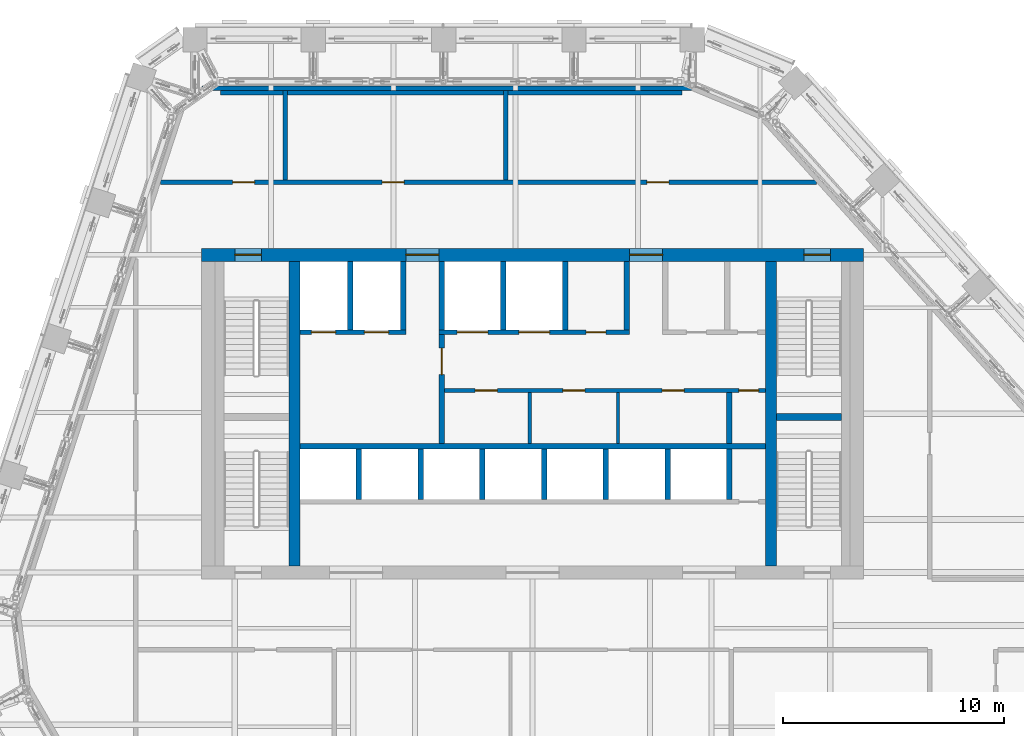
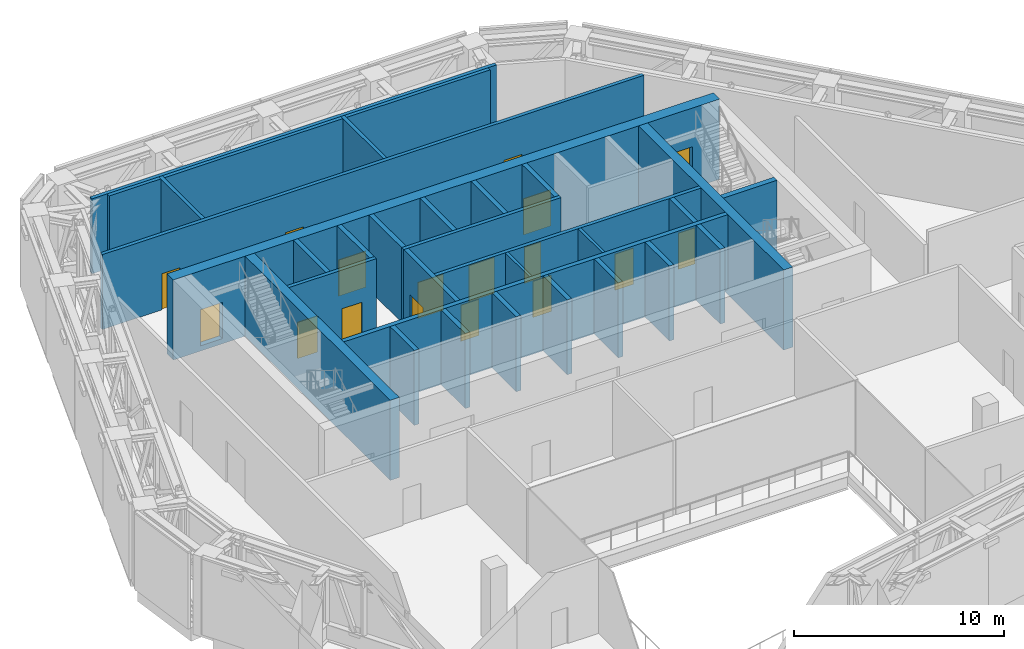
# One storey, part 18 of 25: 32 walls, 17 doors, 17 openings.
"""IFC4 building model written with IfcOpenShell, lengths in metres."""

from ifc_helpers import new_model, si_unit, direction, frame, frame_2d, origin, place, context, subcontext, project, spatial, rectangle, extrude, material, layer, layer_set, type_object, element, fill, save


model = new_model("IFC4")

# Units and contexts
model_context = context("Model", 3, precision=1e-05, world=origin(), true_north=direction((0.0, 1.0)))
body_context = subcontext(model_context, "Body", "Model", "MODEL_VIEW")
ifc_project = project(units=[si_unit("LENGTHUNIT", "METRE"), si_unit("AREAUNIT", "SQUARE_METRE"), si_unit("VOLUMEUNIT", "CUBIC_METRE"), si_unit("PLANEANGLEUNIT", "RADIAN"), si_unit("MASSUNIT", "GRAM", prefix="KILO")], contexts=[model_context])

# Site, building, storey
site_placement = place(None, origin())
site = spatial("IfcSite", under=ifc_project, at=site_placement, CompositionType="ELEMENT")
building_placement = place(site_placement, origin())
building = spatial("IfcBuilding", under=site, at=building_placement, Name="Isthmus Gate Tower", CompositionType="ELEMENT")
storey_placement = place(building_placement, frame((0.0, 0.0, 256.449951171875)))
storey = spatial("IfcBuildingStorey", under=building, at=storey_placement, Name="L65", CompositionType="ELEMENT", Elevation=256.449951171875)

# Wall, opening, door
ifc_material_1 = material(Name="Fire-rated blockwork masonry, 15 MPa", Category="masonry")
ifc_layer_1 = layer(ifc_material_1, 0.25)
ifc_layer_set_1 = layer_set([ifc_layer_1], Name="FIRE-FIGHTING LOBBY WALL 250 90 MIN")
wall_type_1 = type_object("IfcWallType", Name="FIRE-FIGHTING LOBBY WALL 250 90 MIN", PredefinedType="PARTITIONING", material=ifc_layer_set_1)
wall_1_placement = place(storey_placement, frame((-4.125, 6.14990234375, 0.0), z_axis=(0.0, 0.0, 1.0), x_axis=(0.0, 1.0, 0.0)))
wall_1 = element("IfcWall", 1, at=wall_1_placement, inside=storey, type_object=wall_type_1, Name="L65 FIRE-FIGHTING LOBBY WALL 250 90 MIN", PredefinedType="PARTITIONING", context=body_context, shape_type="SweptSolid", body=[
    extrude(rectangle(XDim=4.9501953125, YDim=0.25, at=frame_2d((2.47509765625, 0.0))), origin(), (0.0, 0.0, 1.0), 4.35009765625),
])
opening_1_placement = place(wall_1_placement, frame((3.125, 0.0, 0.0)))
opening_1 = element("IfcOpeningElement", 2, at=opening_1_placement, cuts=wall_1, Name="Opening DC-A21-01", PredefinedType="OPENING", context=body_context, shape_type="SweptSolid", body=[
    extrude(rectangle(XDim=1.199951171875, YDim=2.10009765625, at=frame_2d((0.60009765625, 1.050048828125))), frame((0.0, 0.135009765625, 0.0), z_axis=(0.0, -1.0, 0.0), x_axis=(1.0, 0.0, 0.0)), (0.0, 0.0, 1.0), 0.27001953125),
])
ifc_material_2 = material(Name="Steel door leaf, fire-rated", Category="steel")
door_type_1 = type_object("IfcDoorType", Name="LOBBY FIRE DOOR 1200 X 2100 90 MIN", OperationType="DOUBLE_DOOR_SINGLE_SWING", PredefinedType="DOOR", material=ifc_material_2)
door_1_placement = place(opening_1_placement, origin())
door_1 = element("IfcDoor", 3, at=door_1_placement, inside=storey, type_object=door_type_1, Name="Fire-fighting Lobby Door", OperationType="SINGLE_SWING_LEFT", OverallHeight=2.10009765625, OverallWidth=1.199951171875, PredefinedType="DOOR", context=body_context, shape_type="SweptSolid", body=[
    extrude(rectangle(XDim=1.199951171875, YDim=2.10009765625, at=frame_2d((0.60009765625, 1.050048828125))), frame((0.0, 0.02490234375, 0.0), z_axis=(0.0, -1.0, 0.0), x_axis=(1.0, 0.0, 0.0)), (0.0, 0.0, 1.0), 0.050048828125),
])
fill(opening_1, door_1)

# Wall, openings, doors
ifc_material_3 = material(Name="Concrete f'c 30 MPa", Category="concrete")
ifc_layer_2 = layer(ifc_material_3, 0.199951171875)
ifc_layer_set_2 = layer_set([ifc_layer_2], Name="Fire-rated block wall 200")
wall_type_2 = type_object("IfcWallType", Name="Fire-rated block wall 200", PredefinedType="PARTITIONING", material=ifc_layer_set_2)
wall_2_placement = place(storey_placement, frame((-16.866943359375, 18.0, 0.0), z_axis=(0.0, 0.0, 1.0), x_axis=(1.0, 0.0, 0.0)))
wall_2 = element("IfcWall", 4, at=wall_2_placement, inside=storey, type_object=wall_type_2, Name="Fire-rated wall", PredefinedType="PARTITIONING", context=body_context, shape_type="SweptSolid", body=[
    extrude(rectangle(XDim=29.730224609375, YDim=0.199951171875, at=frame_2d((14.865234375, 0.0))), origin(), (0.0, 0.0, 1.0), 4.35009765625),
])
opening_2_placement = place(wall_2_placement, frame((3.266845703125, 0.0, 0.0)))
opening_2 = element("IfcOpeningElement", 5, at=opening_2_placement, cuts=wall_2, Name="Opening DP65-03", PredefinedType="OPENING", context=body_context, shape_type="SweptSolid", body=[
    extrude(rectangle(XDim=1.0, YDim=2.10009765625, at=frame_2d((0.5, 1.050048828125))), frame((0.0, 0.10986328125, 0.0), z_axis=(0.0, -1.0, 0.0), x_axis=(1.0, 0.0, 0.0)), (0.0, 0.0, 1.0), 0.219970703125),
])
opening_3_placement = place(wall_2_placement, frame((10.047607421875, 0.0, 0.0)))
opening_3 = element("IfcOpeningElement", 6, at=opening_3_placement, cuts=wall_2, Name="Opening DP65-04", PredefinedType="OPENING", context=body_context, shape_type="SweptSolid", body=[
    extrude(rectangle(XDim=1.0, YDim=2.10009765625, at=frame_2d((0.5, 1.050048828125))), frame((0.0, 0.10986328125, 0.0), z_axis=(0.0, -1.0, 0.0), x_axis=(1.0, 0.0, 0.0)), (0.0, 0.0, 1.0), 0.219970703125),
])
opening_4_placement = place(wall_2_placement, frame((22.047607421875, 0.0, 0.0)))
opening_4 = element("IfcOpeningElement", 7, at=opening_4_placement, cuts=wall_2, Name="Opening DP65-05", PredefinedType="OPENING", context=body_context, shape_type="SweptSolid", body=[
    extrude(rectangle(XDim=1.0, YDim=2.10009765625, at=frame_2d((0.5, 1.050048828125))), frame((0.0, 0.10986328125, 0.0), z_axis=(0.0, -1.0, 0.0), x_axis=(1.0, 0.0, 0.0)), (0.0, 0.0, 1.0), 0.219970703125),
])
ifc_material_4 = material(Name="Steel fire door with intumescent seals", Category="steel")
door_type_2 = type_object("IfcDoorType", Name="Fire door 1000 x 2100", OperationType="SINGLE_SWING_LEFT", PredefinedType="DOOR", material=ifc_material_4)
door_2_placement = place(opening_2_placement, origin())
door_2 = element("IfcDoor", 8, at=door_2_placement, inside=storey, type_object=door_type_2, Name="Door DP65-03", OperationType="SINGLE_SWING_LEFT", OverallHeight=2.10009765625, OverallWidth=1.0, PredefinedType="DOOR", context=body_context, shape_type="SweptSolid", body=[
    extrude(rectangle(XDim=1.0, YDim=2.10009765625, at=frame_2d((0.5, 1.050048828125))), frame((0.0, 0.02490234375, 0.0), z_axis=(0.0, -1.0, 0.0), x_axis=(1.0, 0.0, 0.0)), (0.0, 0.0, 1.0), 0.050048828125),
])
fill(opening_2, door_2)
door_3_placement = place(opening_3_placement, origin())
door_3 = element("IfcDoor", 9, at=door_3_placement, inside=storey, type_object=door_type_2, Name="Door DP65-04", OperationType="SINGLE_SWING_LEFT", OverallHeight=2.10009765625, OverallWidth=1.0, PredefinedType="DOOR", context=body_context, shape_type="SweptSolid", body=[
    extrude(rectangle(XDim=1.0, YDim=2.10009765625, at=frame_2d((0.5, 1.050048828125))), frame((0.0, 0.02490234375, 0.0), z_axis=(0.0, -1.0, 0.0), x_axis=(1.0, 0.0, 0.0)), (0.0, 0.0, 1.0), 0.050048828125),
])
fill(opening_3, door_3)
door_4_placement = place(opening_4_placement, origin())
door_4 = element("IfcDoor", 10, at=door_4_placement, inside=storey, type_object=door_type_2, Name="Door DP65-05", OperationType="SINGLE_SWING_LEFT", OverallHeight=2.10009765625, OverallWidth=1.0, PredefinedType="DOOR", context=body_context, shape_type="SweptSolid", body=[
    extrude(rectangle(XDim=1.0, YDim=2.10009765625, at=frame_2d((0.5, 1.050048828125))), frame((0.0, 0.02490234375, 0.0), z_axis=(0.0, -1.0, 0.0), x_axis=(1.0, 0.0, 0.0)), (0.0, 0.0, 1.0), 0.050048828125),
])
fill(opening_4, door_4)

# Walls
wall_3_placement = place(storey_placement, frame((-14.143310546875, 22.050048828125, 0.0), z_axis=(0.0, 0.0, 1.0), x_axis=(1.0, 0.0, 0.0)))
element("IfcWall", 11, at=wall_3_placement, inside=storey, type_object=wall_type_2, Name="Fire-rated wall", PredefinedType="PARTITIONING", context=body_context, shape_type="SweptSolid", body=[
    extrude(rectangle(XDim=2.82421875, YDim=0.199951171875, at=frame_2d((1.412109375, 0.0))), origin(), (0.0, 0.0, 1.0), 4.35009765625),
])
wall_4_placement = place(storey_placement, frame((-11.118896484375, 22.050048828125, 0.0), z_axis=(0.0, 0.0, 1.0), x_axis=(1.0, 0.0, 0.0)))
element("IfcWall", 12, at=wall_4_placement, inside=storey, type_object=wall_type_2, Name="Fire-rated wall", PredefinedType="PARTITIONING", context=body_context, shape_type="SweptSolid", body=[
    extrude(rectangle(XDim=9.7998046875, YDim=0.199951171875, at=frame_2d((4.89990234375, 0.0))), origin(), (0.0, 0.0, 1.0), 4.35009765625),
])
wall_5_placement = place(storey_placement, frame((-1.118896484375, 22.050048828125, 0.0), z_axis=(0.0, 0.0, 1.0), x_axis=(1.0, 0.0, 0.0)))
element("IfcWall", 13, at=wall_5_placement, inside=storey, type_object=wall_type_2, Name="Fire-rated wall", PredefinedType="PARTITIONING", context=body_context, shape_type="SweptSolid", body=[
    extrude(rectangle(XDim=7.888671875, YDim=0.199951171875, at=frame_2d((3.9443359375, 0.0))), origin(), (0.0, 0.0, 1.0), 4.35009765625),
])
for number, where, z_axis, x_axis, name in (
    (14, (-11.218994140625, 18.10009765625, 0.0), (0.0, 0.0, 1.0), (0.0, 1.0, 0.0), "Fire-rated wall"),
    (15, (-1.218994140625, 18.10009765625, 0.0), (0.0, 0.0, 1.0), (0.0, 1.0, 0.0), "Fire-rated wall"),
):
    element("IfcWall", number, at=place(storey_placement, frame(where, z_axis=z_axis, x_axis=x_axis)), inside=storey, type_object=wall_type_2, Name=name, PredefinedType="PARTITIONING", context=body_context, shape_type="SweptSolid", body=[
        extrude(rectangle(XDim=4.0498046875, YDim=0.199951171875, at=frame_2d((2.02490234375, 0.0))), origin(), (0.0, 0.0, 1.0), 4.35009765625),
    ])
wall_6_placement = place(storey_placement, frame((-14.980712890625, 22.25, 0.0), z_axis=(0.0, 0.0, 1.0), x_axis=(1.0, 0.0, 0.0)))
element("IfcWall", 16, at=wall_6_placement, inside=storey, type_object=wall_type_2, Name="Fire-rated wall", PredefinedType="PARTITIONING", context=body_context, shape_type="SweptSolid", body=[
    extrude(rectangle(XDim=22.222900390625, YDim=0.199951171875, at=frame_2d((11.111328125, 0.0))), origin(), (0.0, 0.0, 1.0), 4.35009765625),
])
ifc_material_5 = material(Name="Concrete f'c 50 MPa", Category="concrete")
ifc_layer_3 = layer(ifc_material_5, 0.5)
ifc_layer_set_3 = layer_set([ifc_layer_3], Name="RC CORE SPINE WALL 500 F'C 50")
wall_type_3 = type_object("IfcWallType", Name="RC CORE SPINE WALL 500 F'C 50", PredefinedType="SOLIDWALL", material=ifc_layer_set_3)
for number, where, z_axis, x_axis, name in (
    (17, (-10.800048828125, 0.60009765625, -0.300048828125), (0.0, 0.0, 1.0), (0.0, 1.0, 0.0), "str-corewall-L65-SPW"),
    (18, (10.800048828125, 0.60009765625, -0.300048828125), (0.0, 0.0, 1.0), (0.0, 1.0, 0.0), "str-corewall-L65-SPE"),
):
    element("IfcWall", number, at=place(storey_placement, frame(where, z_axis=z_axis, x_axis=x_axis)), inside=storey, type_object=wall_type_3, Name=name, PredefinedType="SOLIDWALL", context=body_context, shape_type="SweptSolid", body=[
        extrude(rectangle(XDim=13.7998046875, YDim=0.5, at=frame_2d((6.89990234375, 0.0))), origin(), (0.0, 0.0, 1.0), 4.650146484375),
    ])

# Wall, openings, doors
ifc_material_6 = material(Name="Concrete f'c 50 MPa", Category="concrete")
ifc_layer_4 = layer(ifc_material_6, 0.60009765625)
ifc_layer_set_4 = layer_set([ifc_layer_4], Name="RC CORE WALL 600 F'C 50")
wall_type_4 = type_object("IfcWallType", Name="RC CORE WALL 600 F'C 50", PredefinedType="SOLIDWALL", material=ifc_layer_set_4)
wall_7_placement = place(storey_placement, frame((-15.0, 14.699951171875, -0.300048828125), z_axis=(0.0, 0.0, 1.0), x_axis=(1.0, 0.0, 0.0)))
wall_7 = element("IfcWall", 19, at=wall_7_placement, inside=storey, type_object=wall_type_4, Name="str-corewall-L65-N", PredefinedType="SOLIDWALL", context=body_context, shape_type="SweptSolid", body=[
    extrude(rectangle(XDim=30.0, YDim=0.60009765625, at=frame_2d((15.0, 0.0))), origin(), (0.0, 0.0, 1.0), 4.650146484375),
])
opening_5_placement = place(wall_7_placement, frame((9.25, 0.0, 0.300048828125)))
opening_5 = element("IfcOpeningElement", 20, at=opening_5_placement, cuts=wall_7, Name="Opening DC-A21-13", PredefinedType="OPENING", context=body_context, shape_type="SweptSolid", body=[
    extrude(rectangle(XDim=1.5, YDim=2.10009765625, at=frame_2d((0.75, 1.050048828125))), frame((0.0, 0.31005859375, 0.0), z_axis=(0.0, -1.0, 0.0), x_axis=(1.0, 0.0, 0.0)), (0.0, 0.0, 1.0), 0.6201171875),
])
opening_6_placement = place(wall_7_placement, frame((19.39990234375, 0.0, 0.300048828125)))
opening_6 = element("IfcOpeningElement", 21, at=opening_6_placement, cuts=wall_7, Name="Opening DC-A21-14", PredefinedType="OPENING", context=body_context, shape_type="SweptSolid", body=[
    extrude(rectangle(XDim=1.5, YDim=2.10009765625, at=frame_2d((0.75, 1.050048828125))), frame((0.0, 0.31005859375, 0.0), z_axis=(0.0, -1.0, 0.0), x_axis=(1.0, 0.0, 0.0)), (0.0, 0.0, 1.0), 0.6201171875),
])
opening_7_placement = place(wall_7_placement, frame((1.5, 0.0, 0.300048828125)))
opening_7 = element("IfcOpeningElement", 22, at=opening_7_placement, cuts=wall_7, Name="Opening DC-A21-15", PredefinedType="OPENING", context=body_context, shape_type="SweptSolid", body=[
    extrude(rectangle(XDim=1.199951171875, YDim=2.10009765625, at=frame_2d((0.60009765625, 1.050048828125))), frame((0.0, 0.31005859375, 0.0), z_axis=(0.0, -1.0, 0.0), x_axis=(1.0, 0.0, 0.0)), (0.0, 0.0, 1.0), 0.6201171875),
])
opening_8_placement = place(wall_7_placement, frame((27.300048828125, 0.0, 0.300048828125)))
opening_8 = element("IfcOpeningElement", 23, at=opening_8_placement, cuts=wall_7, Name="Opening DC-A21-16", PredefinedType="OPENING", context=body_context, shape_type="SweptSolid", body=[
    extrude(rectangle(XDim=1.199951171875, YDim=2.10009765625, at=frame_2d((0.60009765625, 1.050048828125))), frame((0.0, 0.31005859375, 0.0), z_axis=(0.0, -1.0, 0.0), x_axis=(1.0, 0.0, 0.0)), (0.0, 0.0, 1.0), 0.6201171875),
])
ifc_material_7 = material(Name="Steel door leaf, fire-rated", Category="steel")
door_type_3 = type_object("IfcDoorType", Name="LOBBY FIRE DOOR 1500 X 2100 60 MIN", OperationType="DOUBLE_DOOR_SINGLE_SWING", PredefinedType="DOOR", material=ifc_material_7)
door_5_placement = place(opening_6_placement, origin())
door_5 = element("IfcDoor", 24, at=door_5_placement, inside=storey, type_object=door_type_3, Name="Lobby Door PN-E", OperationType="DOUBLE_DOOR_SINGLE_SWING", OverallHeight=2.10009765625, OverallWidth=1.5, PredefinedType="DOOR", context=body_context, shape_type="SweptSolid", body=[
    extrude(rectangle(XDim=1.5, YDim=2.10009765625, at=frame_2d((0.75, 1.050048828125))), frame((0.0, 0.02490234375, 0.0), z_axis=(0.0, -1.0, 0.0), x_axis=(1.0, 0.0, 0.0)), (0.0, 0.0, 1.0), 0.050048828125),
])
fill(opening_6, door_5)
ifc_material_8 = material(Name="Steel door leaf, fire-rated", Category="steel")
door_type_4 = type_object("IfcDoorType", Name="LOBBY FIRE DOOR 1500 X 2100 90 MIN", OperationType="DOUBLE_DOOR_SINGLE_SWING", PredefinedType="DOOR", material=ifc_material_8)
door_6_placement = place(opening_5_placement, origin())
door_6 = element("IfcDoor", 25, at=door_6_placement, inside=storey, type_object=door_type_4, Name="Lobby Door PN-W", OperationType="DOUBLE_DOOR_SINGLE_SWING", OverallHeight=2.10009765625, OverallWidth=1.5, PredefinedType="DOOR", context=body_context, shape_type="SweptSolid", body=[
    extrude(rectangle(XDim=1.5, YDim=2.10009765625, at=frame_2d((0.75, 1.050048828125))), frame((0.0, 0.02490234375, 0.0), z_axis=(0.0, -1.0, 0.0), x_axis=(1.0, 0.0, 0.0)), (0.0, 0.0, 1.0), 0.050048828125),
])
fill(opening_5, door_6)
ifc_material_9 = material(Name="Steel door leaf, fire-rated", Category="steel")
door_type_5 = type_object("IfcDoorType", Name="STAIR FIRE DOOR 1200 X 2100 90 MIN", OperationType="SINGLE_SWING_LEFT", PredefinedType="DOOR", material=ifc_material_9)
door_7_placement = place(opening_7_placement, origin())
door_7 = element("IfcDoor", 26, at=door_7_placement, inside=storey, type_object=door_type_5, Name="Exit Stair 1 Door", OperationType="SINGLE_SWING_RIGHT", OverallHeight=2.10009765625, OverallWidth=1.199951171875, PredefinedType="DOOR", context=body_context, shape_type="SweptSolid", body=[
    extrude(rectangle(XDim=1.199951171875, YDim=2.10009765625, at=frame_2d((0.60009765625, 1.050048828125))), frame((0.0, 0.02490234375, 0.0), z_axis=(0.0, -1.0, 0.0), x_axis=(1.0, 0.0, 0.0)), (0.0, 0.0, 1.0), 0.050048828125),
])
fill(opening_7, door_7)
door_8_placement = place(opening_8_placement, origin())
door_8 = element("IfcDoor", 27, at=door_8_placement, inside=storey, type_object=door_type_5, Name="Exit Stair 2 Door", OperationType="SINGLE_SWING_LEFT", OverallHeight=2.10009765625, OverallWidth=1.199951171875, PredefinedType="DOOR", context=body_context, shape_type="SweptSolid", body=[
    extrude(rectangle(XDim=1.199951171875, YDim=2.10009765625, at=frame_2d((0.60009765625, 1.050048828125))), frame((0.0, 0.02490234375, 0.0), z_axis=(0.0, -1.0, 0.0), x_axis=(1.0, 0.0, 0.0)), (0.0, 0.0, 1.0), 0.050048828125),
])
fill(opening_8, door_8)

# Walls
ifc_material_10 = material(Name="Gypsum board on steel studs, fire-rated", Category="steel")
ifc_layer_5 = layer(ifc_material_10, 0.14990234375)
ifc_layer_set_5 = layer_set([ifc_layer_5], Name="ROOM PARTITION 150 60 MIN")
wall_type_5 = type_object("IfcWallType", Name="ROOM PARTITION 150 60 MIN", PredefinedType="PARTITIONING", material=ifc_layer_set_5)
for number, where, z_axis, x_axis, name in (
    (28, (-0.125, 6.14990234375, 0.0), (0.0, 0.0, 1.0), (0.0, 1.0, 0.0), "L65 ROOM PARTITION 150 60 MIN"),
    (29, (3.875, 6.14990234375, 0.0), (0.0, 0.0, 1.0), (0.0, 1.0, 0.0), "L65 ROOM PARTITION 150 60 MIN"),
):
    element("IfcWall", number, at=place(storey_placement, frame(where, z_axis=z_axis, x_axis=x_axis)), inside=storey, type_object=wall_type_5, Name=name, PredefinedType="PARTITIONING", context=body_context, shape_type="SweptSolid", body=[
        extrude(rectangle(XDim=2.300048828125, YDim=0.14990234375, at=frame_2d((1.14990234375, 0.0))), origin(), (0.0, 0.0, 1.0), 4.35009765625),
    ])

# Wall, openings, doors
ifc_material_11 = material(Name="Fire-rated blockwork masonry, 15 MPa", Category="masonry")
ifc_layer_6 = layer(ifc_material_11, 0.199951171875)
ifc_layer_set_6 = layer_set([ifc_layer_6], Name="SHAFT FRONT WALL 200 120 MIN")
wall_type_6 = type_object("IfcWallType", Name="SHAFT FRONT WALL 200 120 MIN", PredefinedType="PARTITIONING", material=ifc_layer_set_6)
wall_8_placement = place(storey_placement, frame((-4.125, 8.550048828125, 0.0), z_axis=(0.0, 0.0, 1.0), x_axis=(1.0, 0.0, 0.0)))
wall_8 = element("IfcWall", 30, at=wall_8_placement, inside=storey, type_object=wall_type_6, Name="L65 SHAFT FRONT WALL 200 120 MIN", PredefinedType="PARTITIONING", context=body_context, shape_type="SweptSolid", body=[
    extrude(rectangle(XDim=14.675048828125, YDim=0.199951171875, at=frame_2d((7.33740234375, 0.0))), origin(), (0.0, 0.0, 1.0), 4.35009765625),
])
opening_9_placement = place(wall_8_placement, frame((1.52490234375, 0.0, 0.0)))
opening_9 = element("IfcOpeningElement", 31, at=opening_9_placement, cuts=wall_8, Name="Opening DC-A21-03", PredefinedType="OPENING", context=body_context, shape_type="SweptSolid", body=[
    extrude(rectangle(XDim=1.0, YDim=2.10009765625, at=frame_2d((0.5, 1.050048828125))), frame((0.0, 0.10986328125, 0.0), z_axis=(0.0, -1.0, 0.0), x_axis=(1.0, 0.0, 0.0)), (0.0, 0.0, 1.0), 0.219970703125),
])
opening_10_placement = place(wall_8_placement, frame((5.5, 0.0, 0.0)))
opening_10 = element("IfcOpeningElement", 32, at=opening_10_placement, cuts=wall_8, Name="Opening DC-A21-04", PredefinedType="OPENING", context=body_context, shape_type="SweptSolid", body=[
    extrude(rectangle(XDim=1.0, YDim=2.10009765625, at=frame_2d((0.5, 1.050048828125))), frame((0.0, 0.10986328125, 0.0), z_axis=(0.0, -1.0, 0.0), x_axis=(1.0, 0.0, 0.0)), (0.0, 0.0, 1.0), 0.219970703125),
])
opening_11_placement = place(wall_8_placement, frame((10.0, 0.0, 0.0)))
opening_11 = element("IfcOpeningElement", 33, at=opening_11_placement, cuts=wall_8, Name="Opening DC-A21-05", PredefinedType="OPENING", context=body_context, shape_type="SweptSolid", body=[
    extrude(rectangle(XDim=1.0, YDim=2.10009765625, at=frame_2d((0.5, 1.050048828125))), frame((0.0, 0.10986328125, 0.0), z_axis=(0.0, -1.0, 0.0), x_axis=(1.0, 0.0, 0.0)), (0.0, 0.0, 1.0), 0.219970703125),
])
opening_12_placement = place(wall_8_placement, frame((13.47509765625, 0.0, 0.0)))
opening_12 = element("IfcOpeningElement", 34, at=opening_12_placement, cuts=wall_8, Name="Opening DC-A21-06", PredefinedType="OPENING", context=body_context, shape_type="SweptSolid", body=[
    extrude(rectangle(XDim=0.89990234375, YDim=2.10009765625, at=frame_2d((0.449951171875, 1.050048828125))), frame((0.0, 0.10986328125, 0.0), z_axis=(0.0, -1.0, 0.0), x_axis=(1.0, 0.0, 0.0)), (0.0, 0.0, 1.0), 0.219970703125),
])
ifc_material_12 = material(Name="Steel door leaf, fire-rated", Category="steel")
door_type_6 = type_object("IfcDoorType", Name="FIRE DOOR 1000 X 2100 60 MIN", OperationType="SINGLE_SWING_LEFT", PredefinedType="DOOR", material=ifc_material_12)
door_9_placement = place(opening_9_placement, origin())
door_9 = element("IfcDoor", 35, at=door_9_placement, inside=storey, type_object=door_type_6, Name="Pump Room Door", OperationType="SINGLE_SWING_LEFT", OverallHeight=2.10009765625, OverallWidth=1.0, PredefinedType="DOOR", context=body_context, shape_type="SweptSolid", body=[
    extrude(rectangle(XDim=1.0, YDim=2.10009765625, at=frame_2d((0.5, 1.050048828125))), frame((0.0, 0.02490234375, 0.0), z_axis=(0.0, -1.0, 0.0), x_axis=(1.0, 0.0, 0.0)), (0.0, 0.0, 1.0), 0.050048828125),
])
fill(opening_9, door_9)
door_10_placement = place(opening_10_placement, origin())
door_10 = element("IfcDoor", 36, at=door_10_placement, inside=storey, type_object=door_type_6, Name="Electrical Room Door", OperationType="SINGLE_SWING_RIGHT", OverallHeight=2.10009765625, OverallWidth=1.0, PredefinedType="DOOR", context=body_context, shape_type="SweptSolid", body=[
    extrude(rectangle(XDim=1.0, YDim=2.10009765625, at=frame_2d((0.5, 1.050048828125))), frame((0.0, 0.02490234375, 0.0), z_axis=(0.0, -1.0, 0.0), x_axis=(1.0, 0.0, 0.0)), (0.0, 0.0, 1.0), 0.050048828125),
])
fill(opening_10, door_10)
door_11_placement = place(opening_11_placement, origin())
door_11 = element("IfcDoor", 37, at=door_11_placement, inside=storey, type_object=door_type_6, Name="Valve Room Door", OperationType="SINGLE_SWING_LEFT", OverallHeight=2.10009765625, OverallWidth=1.0, PredefinedType="DOOR", context=body_context, shape_type="SweptSolid", body=[
    extrude(rectangle(XDim=1.0, YDim=2.10009765625, at=frame_2d((0.5, 1.050048828125))), frame((0.0, 0.02490234375, 0.0), z_axis=(0.0, -1.0, 0.0), x_axis=(1.0, 0.0, 0.0)), (0.0, 0.0, 1.0), 0.050048828125),
])
fill(opening_11, door_11)
ifc_material_13 = material(Name="Steel door leaf, fire-rated", Category="steel")
door_type_7 = type_object("IfcDoorType", Name="RISER FIRE DOOR 900 X 2100 90 MIN", OperationType="SINGLE_SWING_LEFT", PredefinedType="DOOR", material=ifc_material_13)
door_12_placement = place(opening_12_placement, origin())
door_12 = element("IfcDoor", 38, at=door_12_placement, inside=storey, type_object=door_type_7, Name="Riser Door", OperationType="SINGLE_SWING_RIGHT", OverallHeight=2.10009765625, OverallWidth=0.89990234375, PredefinedType="DOOR", context=body_context, shape_type="SweptSolid", body=[
    extrude(rectangle(XDim=0.89990234375, YDim=2.10009765625, at=frame_2d((0.449951171875, 1.050048828125))), frame((0.0, 0.02490234375, 0.0), z_axis=(0.0, -1.0, 0.0), x_axis=(1.0, 0.0, 0.0)), (0.0, 0.0, 1.0), 0.050048828125),
])
fill(opening_12, door_12)

wall_9_placement = place(storey_placement, frame((-10.550048828125, 11.199951171875, 0.0), z_axis=(0.0, 0.0, 1.0), x_axis=(1.0, 0.0, 0.0)))
wall_9 = element("IfcWall", 39, at=wall_9_placement, inside=storey, type_object=wall_type_6, Name="L65 SHAFT FRONT WALL 200 120 MIN", PredefinedType="PARTITIONING", context=body_context, shape_type="SweptSolid", body=[
    extrude(rectangle(XDim=4.800048828125, YDim=0.199951171875, at=frame_2d((2.39990234375, 0.0))), origin(), (0.0, 0.0, 1.0), 4.35009765625),
])
opening_13_placement = place(wall_9_placement, frame((0.52490234375, 0.0, 0.0)))
opening_13 = element("IfcOpeningElement", 40, at=opening_13_placement, cuts=wall_9, Name="Opening LD-LF1", PredefinedType="OPENING", context=body_context, shape_type="SweptSolid", body=[
    extrude(rectangle(XDim=1.10009765625, YDim=2.10009765625, at=frame_2d((0.550048828125, 1.050048828125))), frame((0.0, 0.10986328125, 0.0), z_axis=(0.0, -1.0, 0.0), x_axis=(1.0, 0.0, 0.0)), (0.0, 0.0, 1.0), 0.219970703125),
])
opening_14_placement = place(wall_9_placement, frame((2.925048828125, 0.0, 0.0)))
opening_14 = element("IfcOpeningElement", 41, at=opening_14_placement, cuts=wall_9, Name="Opening LD-LF2", PredefinedType="OPENING", context=body_context, shape_type="SweptSolid", body=[
    extrude(rectangle(XDim=1.10009765625, YDim=2.10009765625, at=frame_2d((0.550048828125, 1.050048828125))), frame((0.0, 0.10986328125, 0.0), z_axis=(0.0, -1.0, 0.0), x_axis=(1.0, 0.0, 0.0)), (0.0, 0.0, 1.0), 0.219970703125),
])
ifc_material_14 = material(Name="Stainless steel sliding leaf", Category="steel")
door_type_8 = type_object("IfcDoorType", Name="LIFT LANDING FIRE DOOR 1100 X 2100 90 MIN", OperationType="DOUBLE_DOOR_SLIDING", PredefinedType="DOOR", material=ifc_material_14)
door_13_placement = place(opening_13_placement, origin())
door_13 = element("IfcDoor", 42, at=door_13_placement, inside=storey, type_object=door_type_8, Name="Lift Landing Door LF1", OperationType="DOUBLE_DOOR_SLIDING", OverallHeight=2.10009765625, OverallWidth=1.10009765625, PredefinedType="DOOR", context=body_context, shape_type="SweptSolid", body=[
    extrude(rectangle(XDim=1.10009765625, YDim=2.10009765625, at=frame_2d((0.550048828125, 1.050048828125))), frame((0.0, 0.02490234375, 0.0), z_axis=(0.0, -1.0, 0.0), x_axis=(1.0, 0.0, 0.0)), (0.0, 0.0, 1.0), 0.050048828125),
])
fill(opening_13, door_13)
door_14_placement = place(opening_14_placement, origin())
door_14 = element("IfcDoor", 43, at=door_14_placement, inside=storey, type_object=door_type_8, Name="Lift Landing Door LF2", OperationType="DOUBLE_DOOR_SLIDING", OverallHeight=2.10009765625, OverallWidth=1.10009765625, PredefinedType="DOOR", context=body_context, shape_type="SweptSolid", body=[
    extrude(rectangle(XDim=1.10009765625, YDim=2.10009765625, at=frame_2d((0.550048828125, 1.050048828125))), frame((0.0, 0.02490234375, 0.0), z_axis=(0.0, -1.0, 0.0), x_axis=(1.0, 0.0, 0.0)), (0.0, 0.0, 1.0), 0.050048828125),
])
fill(opening_14, door_14)

wall_10_placement = place(storey_placement, frame((-4.25, 11.199951171875, 0.0), z_axis=(0.0, 0.0, 1.0), x_axis=(1.0, 0.0, 0.0)))
wall_10 = element("IfcWall", 44, at=wall_10_placement, inside=storey, type_object=wall_type_6, Name="L65 SHAFT FRONT WALL 200 120 MIN", PredefinedType="PARTITIONING", context=body_context, shape_type="SweptSolid", body=[
    extrude(rectangle(XDim=8.64990234375, YDim=0.199951171875, at=frame_2d((4.324951171875, 0.0))), origin(), (0.0, 0.0, 1.0), 4.35009765625),
])
opening_15_placement = place(wall_10_placement, frame((0.824951171875, 0.0, 0.0)))
opening_15 = element("IfcOpeningElement", 45, at=opening_15_placement, cuts=wall_10, Name="Opening LD-LV1", PredefinedType="OPENING", context=body_context, shape_type="SweptSolid", body=[
    extrude(rectangle(XDim=1.39990234375, YDim=2.10009765625, at=frame_2d((0.699951171875, 1.050048828125))), frame((0.0, 0.10986328125, 0.0), z_axis=(0.0, -1.0, 0.0), x_axis=(1.0, 0.0, 0.0)), (0.0, 0.0, 1.0), 0.219970703125),
])
opening_16_placement = place(wall_10_placement, frame((3.625, 0.0, 0.0)))
opening_16 = element("IfcOpeningElement", 46, at=opening_16_placement, cuts=wall_10, Name="Opening LD-LV2", PredefinedType="OPENING", context=body_context, shape_type="SweptSolid", body=[
    extrude(rectangle(XDim=1.39990234375, YDim=2.10009765625, at=frame_2d((0.699951171875, 1.050048828125))), frame((0.0, 0.10986328125, 0.0), z_axis=(0.0, -1.0, 0.0), x_axis=(1.0, 0.0, 0.0)), (0.0, 0.0, 1.0), 0.219970703125),
])
opening_17_placement = place(wall_10_placement, frame((6.675048828125, 0.0, 0.0)))
opening_17 = element("IfcOpeningElement", 47, at=opening_17_placement, cuts=wall_10, Name="Opening DC-A21-07", PredefinedType="OPENING", context=body_context, shape_type="SweptSolid", body=[
    extrude(rectangle(XDim=0.89990234375, YDim=2.10009765625, at=frame_2d((0.449951171875, 1.050048828125))), frame((0.0, 0.10986328125, 0.0), z_axis=(0.0, -1.0, 0.0), x_axis=(1.0, 0.0, 0.0)), (0.0, 0.0, 1.0), 0.219970703125),
])
ifc_material_15 = material(Name="Steel door leaf, fire-rated", Category="steel")
door_type_9 = type_object("IfcDoorType", Name="FIRE DOOR 900 X 2100 60 MIN", OperationType="SINGLE_SWING_LEFT", PredefinedType="DOOR", material=ifc_material_15)
door_15_placement = place(opening_17_placement, origin())
door_15 = element("IfcDoor", 48, at=door_15_placement, inside=storey, type_object=door_type_9, Name="Valve Room Door", OperationType="SINGLE_SWING_LEFT", OverallHeight=2.10009765625, OverallWidth=0.89990234375, PredefinedType="DOOR", context=body_context, shape_type="SweptSolid", body=[
    extrude(rectangle(XDim=0.89990234375, YDim=2.10009765625, at=frame_2d((0.449951171875, 1.050048828125))), frame((0.0, 0.02490234375, 0.0), z_axis=(0.0, -1.0, 0.0), x_axis=(1.0, 0.0, 0.0)), (0.0, 0.0, 1.0), 0.050048828125),
])
fill(opening_17, door_15)
ifc_material_16 = material(Name="Stainless steel sliding leaf", Category="steel")
door_type_10 = type_object("IfcDoorType", Name="LIFT LANDING FIRE DOOR 1400 X 2100 90 MIN", OperationType="DOUBLE_DOOR_SLIDING", PredefinedType="DOOR", material=ifc_material_16)
door_16_placement = place(opening_15_placement, origin())
door_16 = element("IfcDoor", 49, at=door_16_placement, inside=storey, type_object=door_type_10, Name="Lift Landing Door LV1", OperationType="DOUBLE_DOOR_SLIDING", OverallHeight=2.10009765625, OverallWidth=1.39990234375, PredefinedType="DOOR", context=body_context, shape_type="SweptSolid", body=[
    extrude(rectangle(XDim=1.39990234375, YDim=2.10009765625, at=frame_2d((0.699951171875, 1.050048828125))), frame((0.0, 0.02490234375, 0.0), z_axis=(0.0, -1.0, 0.0), x_axis=(1.0, 0.0, 0.0)), (0.0, 0.0, 1.0), 0.050048828125),
])
fill(opening_15, door_16)
door_17_placement = place(opening_16_placement, origin())
door_17 = element("IfcDoor", 50, at=door_17_placement, inside=storey, type_object=door_type_10, Name="Lift Landing Door LV2", OperationType="DOUBLE_DOOR_SLIDING", OverallHeight=2.10009765625, OverallWidth=1.39990234375, PredefinedType="DOOR", context=body_context, shape_type="SweptSolid", body=[
    extrude(rectangle(XDim=1.39990234375, YDim=2.10009765625, at=frame_2d((0.699951171875, 1.050048828125))), frame((0.0, 0.02490234375, 0.0), z_axis=(0.0, -1.0, 0.0), x_axis=(1.0, 0.0, 0.0)), (0.0, 0.0, 1.0), 0.050048828125),
])
fill(opening_16, door_17)

# Walls
ifc_material_17 = material(Name="Fire-rated blockwork masonry, 15 MPa", Category="masonry")
ifc_layer_7 = layer(ifc_material_17, 0.25)
ifc_layer_set_7 = layer_set([ifc_layer_7], Name="SHAFT WALL 250 120 MIN")
wall_type_7 = type_object("IfcWallType", Name="SHAFT WALL 250 120 MIN", PredefinedType="PARTITIONING", material=ifc_layer_set_7)
wall_11_placement = place(storey_placement, frame((-10.550048828125, 6.02490234375, 0.0), z_axis=(0.0, 0.0, 1.0), x_axis=(1.0, 0.0, 0.0)))
element("IfcWall", 51, at=wall_11_placement, inside=storey, type_object=wall_type_7, Name="L65 SHAFT WALL 250 120 MIN", PredefinedType="PARTITIONING", context=body_context, shape_type="SweptSolid", body=[
    extrude(rectangle(XDim=21.10009765625, YDim=0.25, at=frame_2d((10.550048828125, 0.0))), origin(), (0.0, 0.0, 1.0), 4.35009765625),
])
for number, where, z_axis, x_axis, name in (
    (52, (-7.875, 3.60009765625, 0.0), (0.0, 0.0, 1.0), (0.0, 1.0, 0.0), "L65 SHAFT WALL 250 120 MIN"),
    (53, (-5.074951171875, 3.60009765625, 0.0), (0.0, 0.0, 1.0), (0.0, 1.0, 0.0), "L65 SHAFT WALL 250 120 MIN"),
    (54, (-2.27490234375, 3.60009765625, 0.0), (0.0, 0.0, 1.0), (0.0, 1.0, 0.0), "L65 SHAFT WALL 250 120 MIN"),
    (55, (0.52490234375, 3.60009765625, 0.0), (0.0, 0.0, 1.0), (0.0, 1.0, 0.0), "L65 SHAFT WALL 250 120 MIN"),
    (56, (3.324951171875, 3.60009765625, 0.0), (0.0, 0.0, 1.0), (0.0, 1.0, 0.0), "L65 SHAFT WALL 250 120 MIN"),
    (57, (6.125, 3.60009765625, 0.0), (0.0, 0.0, 1.0), (0.0, 1.0, 0.0), "L65 SHAFT WALL 250 120 MIN"),
    (58, (8.925048828125, 3.60009765625, 0.0), (0.0, 0.0, 1.0), (0.0, 1.0, 0.0), "L65 SHAFT WALL 250 120 MIN"),
):
    element("IfcWall", number, at=place(storey_placement, frame(where, z_axis=z_axis, x_axis=x_axis)), inside=storey, type_object=wall_type_7, Name=name, PredefinedType="PARTITIONING", context=body_context, shape_type="SweptSolid", body=[
        extrude(rectangle(XDim=2.2998046875, YDim=0.25, at=frame_2d((1.14990234375, 0.0))), origin(), (0.0, 0.0, 1.0), 4.35009765625),
    ])
wall_12_placement = place(storey_placement, frame((8.925048828125, 6.14990234375, 0.0), z_axis=(0.0, 0.0, 1.0), x_axis=(0.0, 1.0, 0.0)))
element("IfcWall", 59, at=wall_12_placement, inside=storey, type_object=wall_type_7, Name="L65 SHAFT WALL 250 120 MIN", PredefinedType="PARTITIONING", context=body_context, shape_type="SweptSolid", body=[
    extrude(rectangle(XDim=2.300048828125, YDim=0.25, at=frame_2d((1.14990234375, 0.0))), origin(), (0.0, 0.0, 1.0), 4.35009765625),
])
for number, where, z_axis, x_axis, name in (
    (60, (-8.27490234375, 11.300048828125, 0.0), (0.0, 0.0, 1.0), (0.0, 1.0, 0.0), "L65 SHAFT WALL 250 120 MIN"),
    (61, (-5.875, 11.300048828125, 0.0), (0.0, 0.0, 1.0), (0.0, 1.0, 0.0), "L65 SHAFT WALL 250 120 MIN"),
    (62, (-4.125, 11.300048828125, 0.0), (0.0, 0.0, 1.0), (0.0, 1.0, 0.0), "L65 SHAFT WALL 250 120 MIN"),
    (63, (-1.324951171875, 11.300048828125, 0.0), (0.0, 0.0, 1.0), (0.0, 1.0, 0.0), "L65 SHAFT WALL 250 120 MIN"),
    (64, (1.47509765625, 11.300048828125, 0.0), (0.0, 0.0, 1.0), (0.0, 1.0, 0.0), "L65 SHAFT WALL 250 120 MIN"),
    (65, (4.27490234375, 11.300048828125, 0.0), (0.0, 0.0, 1.0), (0.0, 1.0, 0.0), "L65 SHAFT WALL 250 120 MIN"),
):
    element("IfcWall", number, at=place(storey_placement, frame(where, z_axis=z_axis, x_axis=x_axis)), inside=storey, type_object=wall_type_7, Name=name, PredefinedType="PARTITIONING", context=body_context, shape_type="SweptSolid", body=[
        extrude(rectangle(XDim=3.099853515625, YDim=0.25, at=frame_2d((1.5498046875, 0.0))), origin(), (0.0, 0.0, 1.0), 4.35009765625),
    ])
ifc_material_18 = material(Name="Concrete f'c 40 MPa", Category="concrete")
ifc_layer_8 = layer(ifc_material_18, 0.300048828125)
ifc_layer_set_8 = layer_set([ifc_layer_8], Name="STAIR ENCLOSURE WALL 300 180 MIN")
wall_type_8 = type_object("IfcWallType", Name="STAIR ENCLOSURE WALL 300 180 MIN", PredefinedType="SOLIDWALL", material=ifc_layer_set_8)
wall_13_placement = place(storey_placement, frame((11.050048828125, 7.35009765625, 0.0), z_axis=(0.0, 0.0, 1.0), x_axis=(1.0, 0.0, 0.0)))
element("IfcWall", 66, at=wall_13_placement, inside=storey, type_object=wall_type_8, Name="L65 STAIR ENCLOSURE WALL 300 180 MIN", PredefinedType="SOLIDWALL", context=body_context, shape_type="SweptSolid", body=[
    extrude(rectangle(XDim=2.949951171875, YDim=0.300048828125, at=frame_2d((1.47509765625, 0.0))), origin(), (0.0, 0.0, 1.0), 4.35009765625),
])

save(model, "model.ifc")
